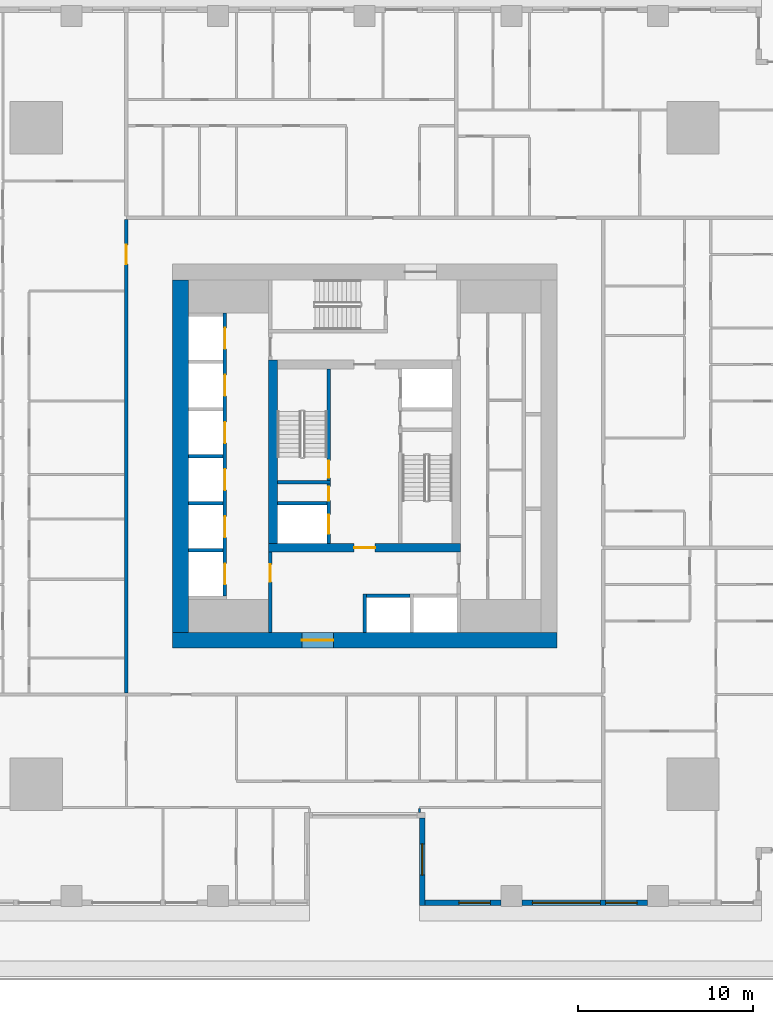
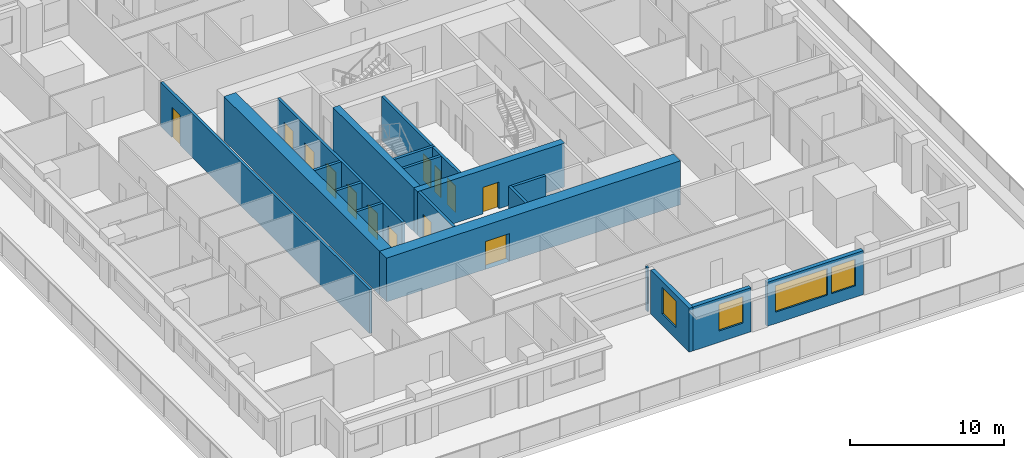
# One storey, part 4 of 16: 20 walls, 13 doors, 4 windows, 17 openings.
"""IFC4 building model written with IfcOpenShell, lengths in metres."""

from ifc_helpers import new_model, si_unit, direction, frame, frame_2d, origin, place, context, subcontext, project, spatial, rectangle, extrude, material, layer, layer_set, type_object, element, fill, save


model = new_model("IFC4")

# Units and contexts
model_context = context("Model", 3, precision=1e-05, world=origin(), true_north=direction((0.0, 1.0)))
body_context = subcontext(model_context, "Body", "Model", "MODEL_VIEW")
ifc_project = project(units=[si_unit("LENGTHUNIT", "METRE"), si_unit("AREAUNIT", "SQUARE_METRE"), si_unit("VOLUMEUNIT", "CUBIC_METRE"), si_unit("PLANEANGLEUNIT", "RADIAN"), si_unit("MASSUNIT", "GRAM", prefix="KILO")], contexts=[model_context])

# Site, building, storey
site_placement = place(None, origin())
site = spatial("IfcSite", under=ifc_project, at=site_placement, CompositionType="ELEMENT")
building_placement = place(site_placement, origin())
building = spatial("IfcBuilding", under=site, at=building_placement, Name="Khepri Terraces", CompositionType="ELEMENT")
storey_placement = place(building_placement, frame((0.0, 0.0, 27.0)))
storey = spatial("IfcBuildingStorey", under=building, at=storey_placement, Name="L05", CompositionType="ELEMENT", Elevation=27.0)

# Wall
ifc_material_1 = material(Name="Concrete C80/95", Category="concrete")
ifc_layer_1 = layer(ifc_material_1, 0.199951171875, Name="Concrete C80/95", Category="concrete")
ifc_layer_set_1 = layer_set([ifc_layer_1], Name="Concrete C80/95")
wall_type_1 = type_object("IfcWallType", Name="Core wall 200 C80/95", PredefinedType="SHEAR", material=ifc_layer_set_1)
wall_1_placement = place(storey_placement, frame((-5.0, -1.5, 0.0), z_axis=(0.0, 0.0, 1.0), x_axis=(1.0, 0.0, 0.0)))
element("IfcWall", 1, at=wall_1_placement, inside=storey, type_object=wall_type_1, Name="Core wall ST02 L05", PredefinedType="SHEAR", context=body_context, shape_type="SweptSolid", body=[
    extrude(rectangle(XDim=3.050048828125, YDim=0.199951171875, at=frame_2d((1.52490234375, 0.0))), origin(), (0.0, 0.0, 1.0), 3.47998046875),
])

# Wall, opening, door
wall_2_placement = place(storey_placement, frame((-2.050048828125, -1.39990234375, 0.0), z_axis=(0.0, 0.0, 1.0), x_axis=(0.0, 1.0, 0.0)))
wall_2 = element("IfcWall", 2, at=wall_2_placement, inside=storey, type_object=wall_type_1, Name="Core wall ST03 L05", PredefinedType="SHEAR", context=body_context, shape_type="SweptSolid", body=[
    extrude(rectangle(XDim=6.39990234375, YDim=0.199951171875, at=frame_2d((3.199951171875, 0.0))), origin(), (0.0, 0.0, 1.0), 3.47998046875),
])
opening_1_placement = place(wall_2_placement, frame((0.14990234375, 0.0, 0.0)))
opening_1 = element("IfcOpeningElement", 3, at=opening_1_placement, cuts=wall_2, Name="Opening L05-C09", PredefinedType="OPENING", context=body_context, shape_type="SweptSolid", body=[
    extrude(rectangle(XDim=1.0, YDim=2.10009765625, at=frame_2d((0.5, 1.050048828125))), frame((0.0, 0.10986328125, 0.0), z_axis=(0.0, -1.0, 0.0), x_axis=(1.0, 0.0, 0.0)), (0.0, 0.0, 1.0), 0.219970703125),
])
ifc_material_2 = material(Name="Painted steel", Category="steel")
door_type_1 = type_object("IfcDoorType", Name="DR-CORE-STAIR-1000", OperationType="NOTDEFINED", PredefinedType="DOOR", material=ifc_material_2)
door_1_placement = place(opening_1_placement, origin())
door_1 = element("IfcDoor", 4, at=door_1_placement, inside=storey, type_object=door_type_1, Name="Stair door L05-C09", OperationType="SINGLE_SWING_LEFT", OverallHeight=2.10009765625, OverallWidth=1.0, PredefinedType="DOOR", context=body_context, shape_type="SweptSolid", body=[
    extrude(rectangle(XDim=1.0, YDim=2.10009765625, at=frame_2d((0.5, 1.050048828125))), frame((0.0, 0.02490234375, 0.0), z_axis=(0.0, -1.0, 0.0), x_axis=(1.0, 0.0, 0.0)), (0.0, 0.0, 1.0), 0.050048828125),
])
fill(opening_1, door_1)

# Walls
wall_3_placement = place(storey_placement, frame((0.0, -10.10009765625, 0.0), z_axis=(0.0, 0.0, 1.0), x_axis=(0.0, 1.0, 0.0)))
element("IfcWall", 5, at=wall_3_placement, inside=storey, type_object=wall_type_1, Name="Core wall SH01 L05", PredefinedType="SHEAR", context=body_context, shape_type="SweptSolid", body=[
    extrude(rectangle(XDim=2.2001953125, YDim=0.199951171875, at=frame_2d((1.10009765625, 0.0))), origin(), (0.0, 0.0, 1.0), 3.47998046875),
])
wall_4_placement = place(storey_placement, frame((0.10009765625, -8.0, 0.0), z_axis=(0.0, 0.0, 1.0), x_axis=(1.0, 0.0, 0.0)))
element("IfcWall", 6, at=wall_4_placement, inside=storey, type_object=wall_type_1, Name="Core wall SH06 L05", PredefinedType="SHEAR", context=body_context, shape_type="SweptSolid", body=[
    extrude(rectangle(XDim=2.5, YDim=0.199951171875, at=frame_2d((1.25, 0.0))), origin(), (0.0, 0.0, 1.0), 3.47998046875),
])

# Wall, openings, doors
wall_5_placement = place(storey_placement, frame((-8.0, -8.0, 0.0), z_axis=(0.0, 0.0, 1.0), x_axis=(0.0, 1.0, 0.0)))
wall_5 = element("IfcWall", 7, at=wall_5_placement, inside=storey, type_object=wall_type_1, Name="Core wall SH08 L05", PredefinedType="SHEAR", context=body_context, shape_type="SweptSolid", body=[
    extrude(rectangle(XDim=16.199951171875, YDim=0.199951171875, at=frame_2d((8.10009765625, 0.0))), origin(), (0.0, 0.0, 1.0), 3.47998046875),
])
opening_2_placement = place(wall_5_placement, frame((0.64990234375, 0.0, 0.0)))
opening_2 = element("IfcOpeningElement", 8, at=opening_2_placement, cuts=wall_5, Name="Opening L05-C01", PredefinedType="OPENING", context=body_context, shape_type="SweptSolid", body=[
    extrude(rectangle(XDim=1.199951171875, YDim=2.10009765625, at=frame_2d((0.60009765625, 1.050048828125))), frame((0.0, 0.10986328125, 0.0), z_axis=(0.0, -1.0, 0.0), x_axis=(1.0, 0.0, 0.0)), (0.0, 0.0, 1.0), 0.219970703125),
])
opening_3_placement = place(wall_5_placement, frame((3.35009765625, 0.0, 0.0)))
opening_3 = element("IfcOpeningElement", 9, at=opening_3_placement, cuts=wall_5, Name="Opening L05-C02", PredefinedType="OPENING", context=body_context, shape_type="SweptSolid", body=[
    extrude(rectangle(XDim=1.199951171875, YDim=2.10009765625, at=frame_2d((0.60009765625, 1.050048828125))), frame((0.0, 0.10986328125, 0.0), z_axis=(0.0, -1.0, 0.0), x_axis=(1.0, 0.0, 0.0)), (0.0, 0.0, 1.0), 0.219970703125),
])
opening_4_placement = place(wall_5_placement, frame((6.050048828125, 0.0, 0.0)))
opening_4 = element("IfcOpeningElement", 10, at=opening_4_placement, cuts=wall_5, Name="Opening L05-C03", PredefinedType="OPENING", context=body_context, shape_type="SweptSolid", body=[
    extrude(rectangle(XDim=1.199951171875, YDim=2.10009765625, at=frame_2d((0.60009765625, 1.050048828125))), frame((0.0, 0.10986328125, 0.0), z_axis=(0.0, -1.0, 0.0), x_axis=(1.0, 0.0, 0.0)), (0.0, 0.0, 1.0), 0.219970703125),
])
opening_5_placement = place(wall_5_placement, frame((8.75, 0.0, 0.0)))
opening_5 = element("IfcOpeningElement", 11, at=opening_5_placement, cuts=wall_5, Name="Opening L05-C04", PredefinedType="OPENING", context=body_context, shape_type="SweptSolid", body=[
    extrude(rectangle(XDim=1.199951171875, YDim=2.10009765625, at=frame_2d((0.60009765625, 1.050048828125))), frame((0.0, 0.10986328125, 0.0), z_axis=(0.0, -1.0, 0.0), x_axis=(1.0, 0.0, 0.0)), (0.0, 0.0, 1.0), 0.219970703125),
])
opening_6_placement = place(wall_5_placement, frame((11.449951171875, 0.0, 0.0)))
opening_6 = element("IfcOpeningElement", 12, at=opening_6_placement, cuts=wall_5, Name="Opening L05-C05", PredefinedType="OPENING", context=body_context, shape_type="SweptSolid", body=[
    extrude(rectangle(XDim=1.199951171875, YDim=2.10009765625, at=frame_2d((0.60009765625, 1.050048828125))), frame((0.0, 0.10986328125, 0.0), z_axis=(0.0, -1.0, 0.0), x_axis=(1.0, 0.0, 0.0)), (0.0, 0.0, 1.0), 0.219970703125),
])
opening_7_placement = place(wall_5_placement, frame((14.14990234375, 0.0, 0.0)))
opening_7 = element("IfcOpeningElement", 13, at=opening_7_placement, cuts=wall_5, Name="Opening L05-C06", PredefinedType="OPENING", context=body_context, shape_type="SweptSolid", body=[
    extrude(rectangle(XDim=1.199951171875, YDim=2.10009765625, at=frame_2d((0.60009765625, 1.050048828125))), frame((0.0, 0.10986328125, 0.0), z_axis=(0.0, -1.0, 0.0), x_axis=(1.0, 0.0, 0.0)), (0.0, 0.0, 1.0), 0.219970703125),
])
ifc_material_3 = material(Name="Stainless steel 304", Category="steel")
door_type_2 = type_object("IfcDoorType", Name="DR-CORE-LANDING-1200", OperationType="NOTDEFINED", PredefinedType="DOOR", material=ifc_material_3)
door_2_placement = place(opening_2_placement, origin())
door_2 = element("IfcDoor", 14, at=door_2_placement, inside=storey, type_object=door_type_2, Name="Lift landing door L05-C01", OperationType="SLIDING_TO_LEFT", OverallHeight=2.10009765625, OverallWidth=1.199951171875, PredefinedType="DOOR", context=body_context, shape_type="SweptSolid", body=[
    extrude(rectangle(XDim=1.199951171875, YDim=2.10009765625, at=frame_2d((0.60009765625, 1.050048828125))), frame((0.0, 0.02490234375, 0.0), z_axis=(0.0, -1.0, 0.0), x_axis=(1.0, 0.0, 0.0)), (0.0, 0.0, 1.0), 0.050048828125),
])
fill(opening_2, door_2)
door_3_placement = place(opening_3_placement, origin())
door_3 = element("IfcDoor", 15, at=door_3_placement, inside=storey, type_object=door_type_2, Name="Lift landing door L05-C02", OperationType="SLIDING_TO_LEFT", OverallHeight=2.10009765625, OverallWidth=1.199951171875, PredefinedType="DOOR", context=body_context, shape_type="SweptSolid", body=[
    extrude(rectangle(XDim=1.199951171875, YDim=2.10009765625, at=frame_2d((0.60009765625, 1.050048828125))), frame((0.0, 0.02490234375, 0.0), z_axis=(0.0, -1.0, 0.0), x_axis=(1.0, 0.0, 0.0)), (0.0, 0.0, 1.0), 0.050048828125),
])
fill(opening_3, door_3)
door_4_placement = place(opening_4_placement, origin())
door_4 = element("IfcDoor", 16, at=door_4_placement, inside=storey, type_object=door_type_2, Name="Lift landing door L05-C03", OperationType="SLIDING_TO_LEFT", OverallHeight=2.10009765625, OverallWidth=1.199951171875, PredefinedType="DOOR", context=body_context, shape_type="SweptSolid", body=[
    extrude(rectangle(XDim=1.199951171875, YDim=2.10009765625, at=frame_2d((0.60009765625, 1.050048828125))), frame((0.0, 0.02490234375, 0.0), z_axis=(0.0, -1.0, 0.0), x_axis=(1.0, 0.0, 0.0)), (0.0, 0.0, 1.0), 0.050048828125),
])
fill(opening_4, door_4)
door_5_placement = place(opening_5_placement, origin())
door_5 = element("IfcDoor", 17, at=door_5_placement, inside=storey, type_object=door_type_2, Name="Lift landing door L05-C04", OperationType="SLIDING_TO_LEFT", OverallHeight=2.10009765625, OverallWidth=1.199951171875, PredefinedType="DOOR", context=body_context, shape_type="SweptSolid", body=[
    extrude(rectangle(XDim=1.199951171875, YDim=2.10009765625, at=frame_2d((0.60009765625, 1.050048828125))), frame((0.0, 0.02490234375, 0.0), z_axis=(0.0, -1.0, 0.0), x_axis=(1.0, 0.0, 0.0)), (0.0, 0.0, 1.0), 0.050048828125),
])
fill(opening_5, door_5)
door_6_placement = place(opening_6_placement, origin())
door_6 = element("IfcDoor", 18, at=door_6_placement, inside=storey, type_object=door_type_2, Name="Lift landing door L05-C05", OperationType="SLIDING_TO_LEFT", OverallHeight=2.10009765625, OverallWidth=1.199951171875, PredefinedType="DOOR", context=body_context, shape_type="SweptSolid", body=[
    extrude(rectangle(XDim=1.199951171875, YDim=2.10009765625, at=frame_2d((0.60009765625, 1.050048828125))), frame((0.0, 0.02490234375, 0.0), z_axis=(0.0, -1.0, 0.0), x_axis=(1.0, 0.0, 0.0)), (0.0, 0.0, 1.0), 0.050048828125),
])
fill(opening_6, door_6)
door_7_placement = place(opening_7_placement, origin())
door_7 = element("IfcDoor", 19, at=door_7_placement, inside=storey, type_object=door_type_2, Name="Lift landing door L05-C06", OperationType="SLIDING_TO_LEFT", OverallHeight=2.10009765625, OverallWidth=1.199951171875, PredefinedType="DOOR", context=body_context, shape_type="SweptSolid", body=[
    extrude(rectangle(XDim=1.199951171875, YDim=2.10009765625, at=frame_2d((0.60009765625, 1.050048828125))), frame((0.0, 0.02490234375, 0.0), z_axis=(0.0, -1.0, 0.0), x_axis=(1.0, 0.0, 0.0)), (0.0, 0.0, 1.0), 0.050048828125),
])
fill(opening_7, door_7)

# Wall
wall_6_placement = place(storey_placement, frame((-10.10009765625, -5.39990234375, 0.0), z_axis=(0.0, 0.0, 1.0), x_axis=(1.0, 0.0, 0.0)))
element("IfcWall", 20, at=wall_6_placement, inside=storey, type_object=wall_type_1, Name="Core wall SH09 L05", PredefinedType="SHEAR", context=body_context, shape_type="SweptSolid", body=[
    extrude(rectangle(XDim=2.0, YDim=0.199951171875, at=frame_2d((1.0, 0.0))), origin(), (0.0, 0.0, 1.0), 3.47998046875),
])

# Wall, openings, doors
wall_7_placement = place(storey_placement, frame((-2.050048828125, -5.0, 0.0), z_axis=(0.0, 0.0, 1.0), x_axis=(0.0, 1.0, 0.0)))
wall_7 = element("IfcWall", 21, at=wall_7_placement, inside=storey, type_object=wall_type_1, Name="Core wall SH10 L05", PredefinedType="SHEAR", context=body_context, shape_type="SweptSolid", body=[
    extrude(rectangle(XDim=3.39990234375, YDim=0.199951171875, at=frame_2d((1.699951171875, 0.0))), origin(), (0.0, 0.0, 1.0), 3.47998046875),
])
opening_8_placement = place(wall_7_placement, frame((0.550048828125, 0.0, 0.0)))
opening_8 = element("IfcOpeningElement", 22, at=opening_8_placement, cuts=wall_7, Name="Opening L05-C08", PredefinedType="OPENING", context=body_context, shape_type="SweptSolid", body=[
    extrude(rectangle(XDim=1.10009765625, YDim=2.10009765625, at=frame_2d((0.550048828125, 1.050048828125))), frame((0.0, 0.10986328125, 0.0), z_axis=(0.0, -1.0, 0.0), x_axis=(1.0, 0.0, 0.0)), (0.0, 0.0, 1.0), 0.219970703125),
])
opening_9_placement = place(wall_7_placement, frame((2.449951171875, 0.0, 0.0)))
opening_9 = element("IfcOpeningElement", 23, at=opening_9_placement, cuts=wall_7, Name="Opening L05-C12", PredefinedType="OPENING", context=body_context, shape_type="SweptSolid", body=[
    extrude(rectangle(XDim=0.800048828125, YDim=2.10009765625, at=frame_2d((0.39990234375, 1.050048828125))), frame((0.0, 0.10986328125, 0.0), z_axis=(0.0, -1.0, 0.0), x_axis=(1.0, 0.0, 0.0)), (0.0, 0.0, 1.0), 0.219970703125),
])
door_type_3 = type_object("IfcDoorType", Name="DR-CORE-FF-LANDING-1100", OperationType="NOTDEFINED", PredefinedType="DOOR", material=ifc_material_3)
door_8_placement = place(opening_8_placement, origin())
door_8 = element("IfcDoor", 24, at=door_8_placement, inside=storey, type_object=door_type_3, Name="Firefighting lift landing door L05-C08", OperationType="SLIDING_TO_LEFT", OverallHeight=2.10009765625, OverallWidth=1.10009765625, PredefinedType="DOOR", context=body_context, shape_type="SweptSolid", body=[
    extrude(rectangle(XDim=1.10009765625, YDim=2.10009765625, at=frame_2d((0.550048828125, 1.050048828125))), frame((0.0, 0.02490234375, 0.0), z_axis=(0.0, -1.0, 0.0), x_axis=(1.0, 0.0, 0.0)), (0.0, 0.0, 1.0), 0.050048828125),
])
fill(opening_8, door_8)
door_type_4 = type_object("IfcDoorType", Name="DR-CORE-RISER-800", OperationType="NOTDEFINED", PredefinedType="DOOR", material=ifc_material_2)
door_9_placement = place(opening_9_placement, origin())
door_9 = element("IfcDoor", 25, at=door_9_placement, inside=storey, type_object=door_type_4, Name="Riser door L05-C12", OperationType="SINGLE_SWING_RIGHT", OverallHeight=2.10009765625, OverallWidth=0.800048828125, PredefinedType="DOOR", context=body_context, shape_type="SweptSolid", body=[
    extrude(rectangle(XDim=0.800048828125, YDim=2.10009765625, at=frame_2d((0.39990234375, 1.050048828125))), frame((0.0, 0.02490234375, 0.0), z_axis=(0.0, -1.0, 0.0), x_axis=(1.0, 0.0, 0.0)), (0.0, 0.0, 1.0), 0.050048828125),
])
fill(opening_9, door_9)

# Walls
wall_8_placement = place(storey_placement, frame((-10.10009765625, -2.699951171875, 0.0), z_axis=(0.0, 0.0, 1.0), x_axis=(1.0, 0.0, 0.0)))
element("IfcWall", 26, at=wall_8_placement, inside=storey, type_object=wall_type_1, Name="Core wall SH12 L05", PredefinedType="SHEAR", context=body_context, shape_type="SweptSolid", body=[
    extrude(rectangle(XDim=2.0, YDim=0.199951171875, at=frame_2d((1.0, 0.0))), origin(), (0.0, 0.0, 1.0), 3.47998046875),
])
wall_9_placement = place(storey_placement, frame((-5.0, -2.699951171875, 0.0), z_axis=(0.0, 0.0, 1.0), x_axis=(1.0, 0.0, 0.0)))
element("IfcWall", 27, at=wall_9_placement, inside=storey, type_object=wall_type_1, Name="Core wall SH13 L05", PredefinedType="SHEAR", context=body_context, shape_type="SweptSolid", body=[
    extrude(rectangle(XDim=2.85009765625, YDim=0.199951171875, at=frame_2d((1.425048828125, 0.0))), origin(), (0.0, 0.0, 1.0), 3.47998046875),
])
wall_10_placement = place(storey_placement, frame((-10.10009765625, 0.0, 0.0), z_axis=(0.0, 0.0, 1.0), x_axis=(1.0, 0.0, 0.0)))
element("IfcWall", 28, at=wall_10_placement, inside=storey, type_object=wall_type_1, Name="Core wall SH14 L05", PredefinedType="SHEAR", context=body_context, shape_type="SweptSolid", body=[
    extrude(rectangle(XDim=2.0, YDim=0.199951171875, at=frame_2d((1.0, 0.0))), origin(), (0.0, 0.0, 1.0), 3.47998046875),
])

# Wall, opening, door
ifc_layer_2 = layer(ifc_material_1, 0.5, Name="Concrete C80/95", Category="concrete")
ifc_layer_set_2 = layer_set([ifc_layer_2], Name="Concrete C80/95")
wall_type_2 = type_object("IfcWallType", Name="Core wall 500 C80/95", PredefinedType="SHEAR", material=ifc_layer_set_2)
wall_11_placement = place(storey_placement, frame((-5.5, -5.25, 0.0), z_axis=(0.0, 0.0, 1.0), x_axis=(1.0, 0.0, 0.0)))
wall_11 = element("IfcWall", 29, at=wall_11_placement, inside=storey, type_object=wall_type_2, Name="Core wall BX01 L05", PredefinedType="SHEAR", context=body_context, shape_type="SweptSolid", body=[
    extrude(rectangle(XDim=11.0, YDim=0.5, at=frame_2d((5.5, 0.0))), origin(), (0.0, 0.0, 1.0), 3.47998046875),
])
opening_10_placement = place(wall_11_placement, frame((4.89990234375, 0.0, 0.0)))
opening_10 = element("IfcOpeningElement", 30, at=opening_10_placement, cuts=wall_11, Name="Opening L05-C14", PredefinedType="OPENING", context=body_context, shape_type="SweptSolid", body=[
    extrude(rectangle(XDim=1.199951171875, YDim=2.10009765625, at=frame_2d((0.60009765625, 1.050048828125))), frame((0.0, 0.260009765625, 0.0), z_axis=(0.0, -1.0, 0.0), x_axis=(1.0, 0.0, 0.0)), (0.0, 0.0, 1.0), 0.52001953125),
])
door_type_5 = type_object("IfcDoorType", Name="DR-CORE-FF-LOBBY-1200", OperationType="NOTDEFINED", PredefinedType="DOOR", material=ifc_material_2)
door_10_placement = place(opening_10_placement, origin())
door_10 = element("IfcDoor", 31, at=door_10_placement, inside=storey, type_object=door_type_5, Name="Firefighting lobby door L05-C14", OperationType="SINGLE_SWING_RIGHT", OverallHeight=2.10009765625, OverallWidth=1.199951171875, PredefinedType="DOOR", context=body_context, shape_type="SweptSolid", body=[
    extrude(rectangle(XDim=1.199951171875, YDim=2.10009765625, at=frame_2d((0.60009765625, 1.050048828125))), frame((0.0, 0.02490234375, 0.0), z_axis=(0.0, -1.0, 0.0), x_axis=(1.0, 0.0, 0.0)), (0.0, 0.0, 1.0), 0.050048828125),
])
fill(opening_10, door_10)

# Wall
wall_12_placement = place(storey_placement, frame((-5.25, -5.0, 0.0), z_axis=(0.0, 0.0, 1.0), x_axis=(0.0, 1.0, 0.0)))
element("IfcWall", 32, at=wall_12_placement, inside=storey, type_object=wall_type_2, Name="Core wall BX02 L05", PredefinedType="SHEAR", context=body_context, shape_type="SweptSolid", body=[
    extrude(rectangle(XDim=10.5, YDim=0.5, at=frame_2d((5.25, 0.0))), origin(), (0.0, 0.0, 1.0), 3.47998046875),
])

# Wall, opening, door
ifc_layer_3 = layer(ifc_material_1, 0.89990234375, Name="Concrete C80/95", Category="concrete")
ifc_layer_set_3 = layer_set([ifc_layer_3], Name="Concrete C80/95")
wall_type_3 = type_object("IfcWallType", Name="Core wall 900 C80/95", PredefinedType="SHEAR", material=ifc_layer_set_3)
wall_13_placement = place(storey_placement, frame((-11.0, -10.550048828125, 0.0), z_axis=(0.0, 0.0, 1.0), x_axis=(1.0, 0.0, 0.0)))
wall_13 = element("IfcWall", 33, at=wall_13_placement, inside=storey, type_object=wall_type_3, Name="Core wall OW-S L05", PredefinedType="SHEAR", context=body_context, shape_type="SweptSolid", body=[
    extrude(rectangle(XDim=22.0, YDim=0.89990234375, at=frame_2d((11.0, 0.0))), origin(), (0.0, 0.0, 1.0), 3.47998046875),
])
opening_11_placement = place(wall_13_placement, frame((7.39990234375, 0.0, 0.0)))
opening_11 = element("IfcOpeningElement", 34, at=opening_11_placement, cuts=wall_13, Name="Opening L05-C21", PredefinedType="OPENING", context=body_context, shape_type="SweptSolid", body=[
    extrude(rectangle(XDim=1.800048828125, YDim=2.199951171875, at=frame_2d((0.89990234375, 1.10009765625))), frame((0.0, 0.4599609375, 0.0), z_axis=(0.0, -1.0, 0.0), x_axis=(1.0, 0.0, 0.0)), (0.0, 0.0, 1.0), 0.919921875),
])
door_type_6 = type_object("IfcDoorType", Name="DR-CORE-ENTRANCE-1800", OperationType="NOTDEFINED", PredefinedType="DOOR", material=ifc_material_2)
door_11_placement = place(opening_11_placement, frame((1.800048828125, 0.0, 0.0), z_axis=(0.0, 0.0, 1.0), x_axis=(-1.0, 0.0, 0.0)))
door_11 = element("IfcDoor", 35, at=door_11_placement, inside=storey, type_object=door_type_6, Name="Core entrance door pair L05-C21", OperationType="DOUBLE_DOOR_SINGLE_SWING", OverallHeight=2.199951171875, OverallWidth=1.800048828125, PredefinedType="DOOR", context=body_context, shape_type="SweptSolid", body=[
    extrude(rectangle(XDim=1.800048828125, YDim=2.199951171875, at=frame_2d((0.89990234375, 1.10009765625))), frame((0.0, 0.02490234375, 0.0), z_axis=(0.0, -1.0, 0.0), x_axis=(1.0, 0.0, 0.0)), (0.0, 0.0, 1.0), 0.050048828125),
])
fill(opening_11, door_11)

# Wall
wall_14_placement = place(storey_placement, frame((-10.550048828125, -10.10009765625, 0.0), z_axis=(0.0, 0.0, 1.0), x_axis=(0.0, 1.0, 0.0)))
element("IfcWall", 36, at=wall_14_placement, inside=storey, type_object=wall_type_3, Name="Core wall OW-W L05", PredefinedType="SHEAR", context=body_context, shape_type="SweptSolid", body=[
    extrude(rectangle(XDim=20.2001953125, YDim=0.89990234375, at=frame_2d((10.10009765625, 0.0))), origin(), (0.0, 0.0, 1.0), 3.47998046875),
])

# Wall, opening, door
ifc_material_4 = material(Name="Fire-rated gypsum board partition")
ifc_layer_4 = layer(ifc_material_4, 0.199951171875, Name="Fire-rated gypsum board partition")
ifc_layer_set_4 = layer_set([ifc_layer_4], Name="Fire-rated gypsum board partition")
wall_type_4 = type_object("IfcWallType", Name="WL-CORE-PART-200", PredefinedType="PARTITIONING", material=ifc_layer_set_4)
wall_15_placement = place(storey_placement, frame((-5.39990234375, -10.10009765625, 0.0), z_axis=(0.0, 0.0, 1.0), x_axis=(0.0, 1.0, 0.0)))
wall_15 = element("IfcWall", 37, at=wall_15_placement, inside=storey, type_object=wall_type_4, Name="Core partition PT01 L05", PredefinedType="PARTITIONING", context=body_context, shape_type="SweptSolid", body=[
    extrude(rectangle(XDim=4.60009765625, YDim=0.199951171875, at=frame_2d((2.300048828125, 0.0))), origin(), (0.0, 0.0, 1.0), 3.47998046875),
])
opening_12_placement = place(wall_15_placement, frame((2.89990234375, 0.0, 0.0)))
opening_12 = element("IfcOpeningElement", 38, at=opening_12_placement, cuts=wall_15, Name="Opening L05-C18", PredefinedType="OPENING", context=body_context, shape_type="SweptSolid", body=[
    extrude(rectangle(XDim=1.0, YDim=2.10009765625, at=frame_2d((0.5, 1.050048828125))), frame((0.0, 0.10986328125, 0.0), z_axis=(0.0, -1.0, 0.0), x_axis=(1.0, 0.0, 0.0)), (0.0, 0.0, 1.0), 0.219970703125),
])
door_type_7 = type_object("IfcDoorType", Name="DR-CORE-LOBBY-1000", OperationType="NOTDEFINED", PredefinedType="DOOR", material=ifc_material_2)
door_12_placement = place(opening_12_placement, frame((1.0, 0.0, 0.0), z_axis=(0.0, 0.0, 1.0), x_axis=(-1.0, 0.0, 0.0)))
door_12 = element("IfcDoor", 39, at=door_12_placement, inside=storey, type_object=door_type_7, Name="Lobby door L05-C18", OperationType="SINGLE_SWING_LEFT", OverallHeight=2.10009765625, OverallWidth=1.0, PredefinedType="DOOR", context=body_context, shape_type="SweptSolid", body=[
    extrude(rectangle(XDim=1.0, YDim=2.10009765625, at=frame_2d((0.5, 1.050048828125))), frame((0.0, 0.02490234375, 0.0), z_axis=(0.0, -1.0, 0.0), x_axis=(1.0, 0.0, 0.0)), (0.0, 0.0, 1.0), 0.050048828125),
])
fill(opening_12, door_12)

ifc_material_5 = material(Name="Fire-rated gypsum plasterboard partition, mineral wool")
ifc_layer_5 = layer(ifc_material_5, 0.199951171875, Name="Fire-rated gypsum plasterboard partition, mineral wool")
ifc_layer_set_5 = layer_set([ifc_layer_5], Name="Fire-rated gypsum plasterboard partition, mineral wool")
wall_type_5 = type_object("IfcWallType", Name="WL-CORR-200", PredefinedType="PARTITIONING", material=ifc_layer_set_5)
wall_16_placement = place(storey_placement, frame((-13.64990234375, -13.550048828125, 0.0), z_axis=(0.0, 0.0, 1.0), x_axis=(0.0, 1.0, 0.0)))
wall_16 = element("IfcWall", 40, at=wall_16_placement, inside=storey, type_object=wall_type_5, Name="Partition P-027 L05", PredefinedType="PARTITIONING", context=body_context, shape_type="SweptSolid", body=[
    extrude(rectangle(XDim=27.10009765625, YDim=0.199951171875, at=frame_2d((13.550048828125, 0.0))), origin(), (0.0, 0.0, 1.0), 3.47998046875),
])
opening_13_placement = place(wall_16_placement, frame((24.550048828125, 0.0, 0.0)))
opening_13 = element("IfcOpeningElement", 41, at=opening_13_placement, cuts=wall_16, Name="Opening D1", PredefinedType="OPENING", context=body_context, shape_type="SweptSolid", body=[
    extrude(rectangle(XDim=1.10009765625, YDim=2.39990234375, at=frame_2d((0.550048828125, 1.199951171875))), frame((0.0, 0.10986328125, 0.0), z_axis=(0.0, -1.0, 0.0), x_axis=(1.0, 0.0, 0.0)), (0.0, 0.0, 1.0), 0.219970703125),
])
ifc_material_6 = material(Name="Solid-core timber door leaf, flat entrance door", Category="wood")
door_type_8 = type_object("IfcDoorType", Name="DR-ENT-1100", OperationType="NOTDEFINED", PredefinedType="DOOR", material=ifc_material_6)
door_13_placement = place(opening_13_placement, origin())
door_13 = element("IfcDoor", 42, at=door_13_placement, inside=storey, type_object=door_type_8, Name="Flat D1 entrance door", OperationType="SINGLE_SWING_RIGHT", OverallHeight=2.39990234375, OverallWidth=1.10009765625, PredefinedType="DOOR", context=body_context, shape_type="SweptSolid", body=[
    extrude(rectangle(XDim=1.10009765625, YDim=2.39990234375, at=frame_2d((0.550048828125, 1.199951171875))), frame((0.0, 0.02490234375, 0.0), z_axis=(0.0, -1.0, 0.0), x_axis=(1.0, 0.0, 0.0)), (0.0, 0.0, 1.0), 0.050048828125),
])
fill(opening_13, door_13)

# Wall, opening, window
ifc_material_7 = material(Name="Precast concrete C50/60 warm stone", Category="masonry")
ifc_layer_6 = layer(ifc_material_7, 0.300048828125, Name="Precast concrete C50/60 warm stone", Category="masonry")
ifc_layer_set_6 = layer_set([ifc_layer_6], Name="Precast concrete C50/60 warm stone")
wall_type_6 = type_object("IfcWallType", Name="WL-EXT-PRECAST-300", PredefinedType="STANDARD", material=ifc_layer_set_6)
wall_17_placement = place(storey_placement, frame((3.300048828125, -20.719970703125, 0.0), z_axis=(0.0, 0.0, 1.0), x_axis=(0.0, -1.0, 0.0)))
wall_17 = element("IfcWall", 43, at=wall_17_placement, inside=storey, type_object=wall_type_6, Name="External wall L05 W", PredefinedType="STANDARD", context=body_context, shape_type="SweptSolid", body=[
    extrude(rectangle(XDim=5.0, YDim=0.300048828125, at=frame_2d((2.5, 0.0))), origin(), (0.0, 0.0, 1.0), 3.47998046875),
])
opening_14_placement = place(wall_17_placement, frame((1.47998046875, 0.0, 0.89990234375)))
opening_14 = element("IfcOpeningElement", 44, at=opening_14_placement, cuts=wall_17, Name="Opening W1", PredefinedType="OPENING", context=body_context, shape_type="SweptSolid", body=[
    extrude(rectangle(XDim=1.800048828125, YDim=2.10009765625, at=frame_2d((0.89990234375, 1.050048828125))), frame((0.0, 0.16015625, 0.0), z_axis=(0.0, -1.0, 0.0), x_axis=(1.0, 0.0, 0.0)), (0.0, 0.0, 1.0), 0.320068359375),
])
ifc_material_8 = material(Name="Clear glass", Category="glass")
window_type_1 = type_object("IfcWindowType", Name="WIN-RES-1800x2100", PartitioningType="SINGLE_PANEL", PredefinedType="WINDOW", material=ifc_material_8)
window_1_placement = place(opening_14_placement, origin())
window_1 = element("IfcWindow", 45, at=window_1_placement, inside=storey, type_object=window_type_1, Name="Window L05 W", OverallHeight=2.10009765625, OverallWidth=1.800048828125, PartitioningType="SINGLE_PANEL", PredefinedType="WINDOW", context=body_context, shape_type="SweptSolid", body=[
    extrude(rectangle(XDim=1.800048828125, YDim=2.10009765625, at=frame_2d((0.89990234375, 1.050048828125))), frame((0.0, 0.030029296875, 0.0), z_axis=(0.0, -1.0, 0.0), x_axis=(1.0, 0.0, 0.0)), (0.0, 0.0, 1.0), 0.06005859375),
])
fill(opening_14, window_1)

wall_18_placement = place(storey_placement, frame((3.449951171875, -25.570068359375, 0.0), z_axis=(0.0, 0.0, 1.0), x_axis=(1.0, 0.0, 0.0)))
wall_18 = element("IfcWall", 46, at=wall_18_placement, inside=storey, type_object=wall_type_6, Name="External wall L05 S", PredefinedType="STANDARD", context=body_context, shape_type="SweptSolid", body=[
    extrude(rectangle(XDim=4.35009765625, YDim=0.300048828125, at=frame_2d((2.175048828125, 0.0))), origin(), (0.0, 0.0, 1.0), 3.47998046875),
])
opening_15_placement = place(wall_18_placement, frame((1.949951171875, 0.0, 0.89990234375)))
opening_15 = element("IfcOpeningElement", 47, at=opening_15_placement, cuts=wall_18, Name="Opening W1", PredefinedType="OPENING", context=body_context, shape_type="SweptSolid", body=[
    extrude(rectangle(XDim=1.800048828125, YDim=2.10009765625, at=frame_2d((0.89990234375, 1.050048828125))), frame((0.0, 0.16015625, 0.0), z_axis=(0.0, -1.0, 0.0), x_axis=(1.0, 0.0, 0.0)), (0.0, 0.0, 1.0), 0.320068359375),
])
window_2_placement = place(opening_15_placement, origin())
window_2 = element("IfcWindow", 48, at=window_2_placement, inside=storey, type_object=window_type_1, Name="Window L05 S", OverallHeight=2.10009765625, OverallWidth=1.800048828125, PartitioningType="SINGLE_PANEL", PredefinedType="WINDOW", context=body_context, shape_type="SweptSolid", body=[
    extrude(rectangle(XDim=1.800048828125, YDim=2.10009765625, at=frame_2d((0.89990234375, 1.050048828125))), frame((0.0, 0.030029296875, 0.0), z_axis=(0.0, -1.0, 0.0), x_axis=(1.0, 0.0, 0.0)), (0.0, 0.0, 1.0), 0.06005859375),
])
fill(opening_15, window_2)

# Wall, openings, windows
wall_19_placement = place(storey_placement, frame((9.0, -25.570068359375, 0.0), z_axis=(0.0, 0.0, 1.0), x_axis=(1.0, 0.0, 0.0)))
wall_19 = element("IfcWall", 49, at=wall_19_placement, inside=storey, type_object=wall_type_6, Name="External wall L05 S", PredefinedType="STANDARD", context=body_context, shape_type="SweptSolid", body=[
    extrude(rectangle(XDim=7.199951171875, YDim=0.300048828125, at=frame_2d((3.60009765625, 0.0))), origin(), (0.0, 0.0, 1.0), 3.47998046875),
])
opening_16_placement = place(wall_19_placement, frame((0.60009765625, 0.0, 0.89990234375)))
opening_16 = element("IfcOpeningElement", 50, at=opening_16_placement, cuts=wall_19, Name="Opening W2", PredefinedType="OPENING", context=body_context, shape_type="SweptSolid", body=[
    extrude(rectangle(XDim=3.89990234375, YDim=2.10009765625, at=frame_2d((1.949951171875, 1.050048828125))), frame((0.0, 0.16015625, 0.0), z_axis=(0.0, -1.0, 0.0), x_axis=(1.0, 0.0, 0.0)), (0.0, 0.0, 1.0), 0.320068359375),
])
opening_17_placement = place(wall_19_placement, frame((4.800048828125, 0.0, 0.89990234375)))
opening_17 = element("IfcOpeningElement", 51, at=opening_17_placement, cuts=wall_19, Name="Opening W1", PredefinedType="OPENING", context=body_context, shape_type="SweptSolid", body=[
    extrude(rectangle(XDim=1.800048828125, YDim=2.10009765625, at=frame_2d((0.89990234375, 1.050048828125))), frame((0.0, 0.16015625, 0.0), z_axis=(0.0, -1.0, 0.0), x_axis=(1.0, 0.0, 0.0)), (0.0, 0.0, 1.0), 0.320068359375),
])
window_3_placement = place(opening_17_placement, origin())
window_3 = element("IfcWindow", 52, at=window_3_placement, inside=storey, type_object=window_type_1, Name="Window L05 S", OverallHeight=2.10009765625, OverallWidth=1.800048828125, PartitioningType="SINGLE_PANEL", PredefinedType="WINDOW", context=body_context, shape_type="SweptSolid", body=[
    extrude(rectangle(XDim=1.800048828125, YDim=2.10009765625, at=frame_2d((0.89990234375, 1.050048828125))), frame((0.0, 0.030029296875, 0.0), z_axis=(0.0, -1.0, 0.0), x_axis=(1.0, 0.0, 0.0)), (0.0, 0.0, 1.0), 0.06005859375),
])
fill(opening_17, window_3)
window_type_2 = type_object("IfcWindowType", Name="WIN-RES-3900x2100", PartitioningType="SINGLE_PANEL", PredefinedType="WINDOW", material=ifc_material_8)
window_4_placement = place(opening_16_placement, origin())
window_4 = element("IfcWindow", 53, at=window_4_placement, inside=storey, type_object=window_type_2, Name="Window L05 S", OverallHeight=2.10009765625, OverallWidth=3.89990234375, PartitioningType="SINGLE_PANEL", PredefinedType="WINDOW", context=body_context, shape_type="SweptSolid", body=[
    extrude(rectangle(XDim=3.89990234375, YDim=2.10009765625, at=frame_2d((1.949951171875, 1.050048828125))), frame((0.0, 0.030029296875, 0.0), z_axis=(0.0, -1.0, 0.0), x_axis=(1.0, 0.0, 0.0)), (0.0, 0.0, 1.0), 0.06005859375),
])
fill(opening_16, window_4)

# Wall
ifc_material_9 = material(Name="Gypsum plasterboard partition")
ifc_layer_7 = layer(ifc_material_9, 0.1201171875, Name="Gypsum plasterboard partition")
ifc_layer_set_7 = layer_set([ifc_layer_7], Name="Gypsum plasterboard partition")
wall_type_7 = type_object("IfcWallType", Name="WL-PART-120", PredefinedType="PARTITIONING", material=ifc_layer_set_7)
wall_20_placement = place(storey_placement, frame((3.14990234375, -20.419921875, 0.0), z_axis=(0.0, 0.0, 1.0), x_axis=(0.0, 1.0, 0.0)))
element("IfcWall", 54, at=wall_20_placement, inside=storey, type_object=wall_type_7, Name="Partition P-007 L05", PredefinedType="PARTITIONING", context=body_context, shape_type="SweptSolid", body=[
    extrude(rectangle(XDim=0.239990234375, YDim=0.1201171875, at=frame_2d((0.1201171875, 0.0))), origin(), (0.0, 0.0, 1.0), 3.47998046875),
])

save(model, "model.ifc")
